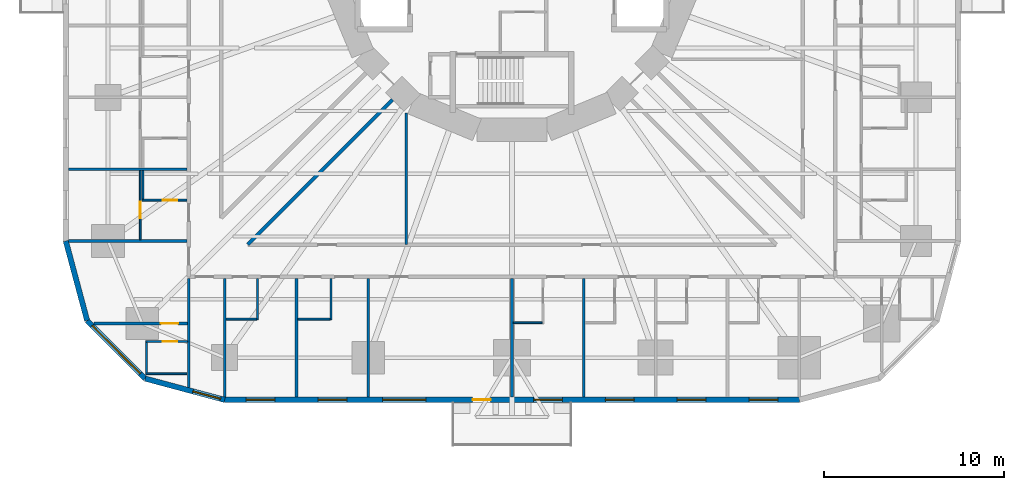
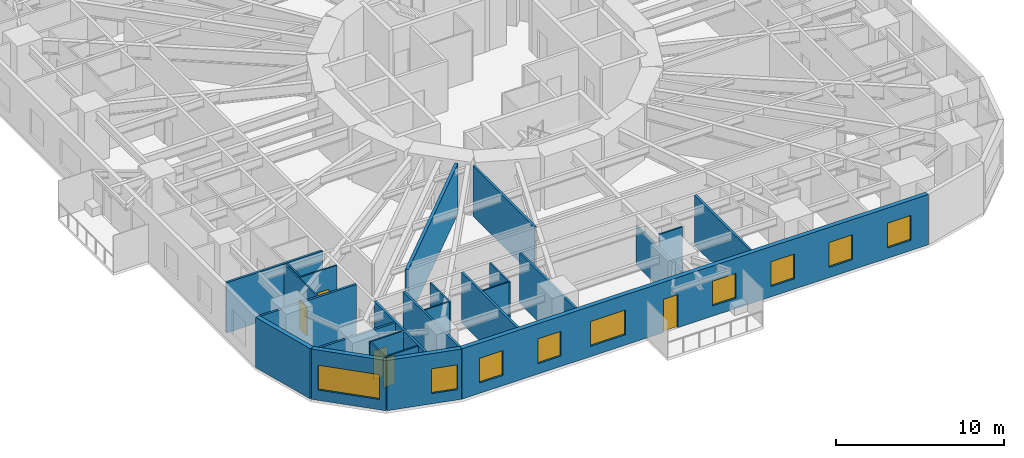
# One storey, part 4 of 14: 26 walls, 9 windows, 5 doors, 14 openings.
"""IFC4 building model written with IfcOpenShell, lengths in metres."""

from ifc_helpers import new_model, si_unit, direction, frame, frame_2d, origin, place, context, subcontext, project, spatial, rectangle, extrude, material, layer, layer_set, type_object, element, fill, save


model = new_model("IFC4")

# Units and contexts
model_context = context("Model", 3, precision=1e-05, world=origin(), true_north=direction((0.0, 1.0)))
body_context = subcontext(model_context, "Body", "Model", "MODEL_VIEW")
ifc_project = project(units=[si_unit("LENGTHUNIT", "METRE"), si_unit("AREAUNIT", "SQUARE_METRE"), si_unit("VOLUMEUNIT", "CUBIC_METRE"), si_unit("PLANEANGLEUNIT", "RADIAN"), si_unit("MASSUNIT", "GRAM", prefix="KILO")], contexts=[model_context])

# Site, building, storey
site_placement = place(None, origin())
site = spatial("IfcSite", under=ifc_project, at=site_placement, CompositionType="ELEMENT")
building_placement = place(site_placement, origin())
building = spatial("IfcBuilding", under=site, at=building_placement, Name="Nakasero Lantern House", CompositionType="ELEMENT")
storey_placement = place(building_placement, frame((0.0, 0.0, 42.949951171875)))
storey = spatial("IfcBuildingStorey", under=building, at=storey_placement, Name="L10", CompositionType="ELEMENT", Elevation=42.949951171875)

# Wall
ifc_material_1 = material(Name="Blockwork", Category="masonry")
ifc_layer_1 = layer(ifc_material_1, 0.199951171875)
ifc_layer_set_1 = layer_set([ifc_layer_1], Name="Corridor wall 200")
wall_type_1 = type_object("IfcWallType", Name="Corridor wall 200", PredefinedType="PARTITIONING", material=ifc_layer_set_1)
wall_1_placement = place(storey_placement, frame((-6.65234375, -8.13720703125, 0.0), z_axis=(0.0, 0.0, 1.0), x_axis=(-0.707106781187, -0.707106781187, 0.0)))
element("IfcWall", 1, at=wall_1_placement, inside=storey, type_object=wall_type_1, Name="Corridor wall L10 PS10a", PredefinedType="PARTITIONING", context=body_context, shape_type="SweptSolid", body=[
    extrude(rectangle(XDim=11.40234375, YDim=0.199951171875, at=frame_2d((5.701171875, 0.0))), origin(), (0.0, 0.0, 1.0), 3.650146484375),
])

# Wall, opening, door
ifc_material_2 = material(Name="Blockwork", Category="masonry")
ifc_layer_2 = layer(ifc_material_2, 0.10009765625)
ifc_layer_set_2 = layer_set([ifc_layer_2], Name="En-suite wall 100")
wall_type_2 = type_object("IfcWallType", Name="En-suite wall 100", PredefinedType="PARTITIONING", material=ifc_layer_set_2)
wall_2_placement = place(storey_placement, frame((-18.10009765625, -13.72509765625, 0.0), z_axis=(0.0, 0.0, 1.0), x_axis=(-1.0, 0.0, 0.0)))
wall_2 = element("IfcWall", 2, at=wall_2_placement, inside=storey, type_object=wall_type_2, Name="En-suite wall L10 ES2-08", PredefinedType="PARTITIONING", context=body_context, shape_type="SweptSolid", body=[
    extrude(rectangle(XDim=2.5, YDim=0.10009765625, at=frame_2d((1.25, 0.0))), origin(), (0.0, 0.0, 1.0), 3.650146484375),
])
opening_1_placement = place(wall_2_placement, frame((0.550048828125, 0.0, 0.0)))
opening_1 = element("IfcOpeningElement", 3, at=opening_1_placement, cuts=wall_2, Name="Opening D02", PredefinedType="OPENING", context=body_context, shape_type="SweptSolid", body=[
    extrude(rectangle(XDim=0.800048828125, YDim=2.10009765625, at=frame_2d((0.39990234375, 1.050048828125))), frame((0.0, 0.070068359375, 0.0), z_axis=(0.0, -1.0, 0.0), x_axis=(1.0, 0.0, 0.0)), (0.0, 0.0, 1.0), 0.14013671875),
])
ifc_material_3 = material(Name="Timber C24", Category="wood")
door_type_1 = type_object("IfcDoorType", Name="En-suite door 800", OperationType="SINGLE_SWING_RIGHT", PredefinedType="DOOR", material=ifc_material_3)
door_1_placement = place(opening_1_placement, origin())
door_1 = element("IfcDoor", 4, at=door_1_placement, inside=storey, type_object=door_type_1, Name="Door L10 DE2-08", OperationType="SINGLE_SWING_LEFT", OverallHeight=2.10009765625, OverallWidth=0.800048828125, PredefinedType="DOOR", context=body_context, shape_type="SweptSolid", body=[
    extrude(rectangle(XDim=0.800048828125, YDim=2.10009765625, at=frame_2d((0.39990234375, 1.050048828125))), frame((0.0, 0.02490234375, 0.0), z_axis=(0.0, -1.0, 0.0), x_axis=(1.0, 0.0, 0.0)), (0.0, 0.0, 1.0), 0.050048828125),
])
fill(opening_1, door_1)

# Wall
wall_3_placement = place(storey_placement, frame((-20.550048828125, -12.074951171875, 0.0), z_axis=(0.0, 0.0, 1.0), x_axis=(0.0, -1.0, 0.0)))
element("IfcWall", 5, at=wall_3_placement, inside=storey, type_object=wall_type_2, Name="En-suite wall L10 EE2-08", PredefinedType="PARTITIONING", context=body_context, shape_type="SweptSolid", body=[
    extrude(rectangle(XDim=1.60009765625, YDim=0.10009765625, at=frame_2d((0.800048828125, 0.0))), origin(), (0.0, 0.0, 1.0), 3.650146484375),
])

# Wall, opening, door
wall_4_placement = place(storey_placement, frame((-18.06494140625, -21.59619140625, 0.0), z_axis=(0.0, 0.0, 1.0), x_axis=(-1.0, 0.0, 0.0)))
wall_4 = element("IfcWall", 6, at=wall_4_placement, inside=storey, type_object=wall_type_2, Name="En-suite wall L10 ES2-09", PredefinedType="PARTITIONING", context=body_context, shape_type="SweptSolid", body=[
    extrude(rectangle(XDim=2.3349609375, YDim=0.10009765625, at=frame_2d((1.16748046875, 0.0))), origin(), (0.0, 0.0, 1.0), 3.650146484375),
])
opening_2_placement = place(wall_4_placement, frame((0.5849609375, 0.0, 0.0)))
opening_2 = element("IfcOpeningElement", 7, at=opening_2_placement, cuts=wall_4, Name="Opening D02", PredefinedType="OPENING", context=body_context, shape_type="SweptSolid", body=[
    extrude(rectangle(XDim=0.800048828125, YDim=2.10009765625, at=frame_2d((0.39990234375, 1.050048828125))), frame((0.0, 0.070068359375, 0.0), z_axis=(0.0, -1.0, 0.0), x_axis=(1.0, 0.0, 0.0)), (0.0, 0.0, 1.0), 0.14013671875),
])
door_2_placement = place(opening_2_placement, origin())
door_2 = element("IfcDoor", 8, at=door_2_placement, inside=storey, type_object=door_type_1, Name="Door L10 DE2-09", OperationType="SINGLE_SWING_LEFT", OverallHeight=2.10009765625, OverallWidth=0.800048828125, PredefinedType="DOOR", context=body_context, shape_type="SweptSolid", body=[
    extrude(rectangle(XDim=0.800048828125, YDim=2.10009765625, at=frame_2d((0.39990234375, 1.050048828125))), frame((0.0, 0.02490234375, 0.0), z_axis=(0.0, -1.0, 0.0), x_axis=(1.0, 0.0, 0.0)), (0.0, 0.0, 1.0), 0.050048828125),
])
fill(opening_2, door_2)

# Walls
wall_5_placement = place(storey_placement, frame((-20.35009765625, -21.646240234375, 0.0), z_axis=(0.0, 0.0, 1.0), x_axis=(0.0, -1.0, 0.0)))
element("IfcWall", 9, at=wall_5_placement, inside=storey, type_object=wall_type_2, Name="En-suite wall L10 EE2-09", PredefinedType="PARTITIONING", context=body_context, shape_type="SweptSolid", body=[
    extrude(rectangle(XDim=1.699951171875, YDim=0.10009765625, at=frame_2d((0.85009765625, 0.0))), origin(), (0.0, 0.0, 1.0), 3.650146484375),
])
for number, where, z_axis, x_axis, name in (
    (10, (-18.10009765625, -23.396240234375, 0.0), (0.0, 0.0, 1.0), (-1.0, 0.0, 0.0), "En-suite wall L10 EV2-09"),
    (11, (-14.175048828125, -18.10009765625, 0.0), (0.0, 0.0, 1.0), (0.0, -1.0, 0.0), "En-suite wall L10 ES3-01"),
):
    element("IfcWall", number, at=place(storey_placement, frame(where, z_axis=z_axis, x_axis=x_axis)), inside=storey, type_object=wall_type_2, Name=name, PredefinedType="PARTITIONING", context=body_context, shape_type="SweptSolid", body=[
        extrude(rectangle(XDim=2.2998046875, YDim=0.10009765625, at=frame_2d((1.14990234375, 0.0))), origin(), (0.0, 0.0, 1.0), 3.650146484375),
    ])
wall_6_placement = place(storey_placement, frame((-15.925048828125, -20.35009765625, 0.0), z_axis=(0.0, 0.0, 1.0), x_axis=(1.0, 0.0, 0.0)))
element("IfcWall", 12, at=wall_6_placement, inside=storey, type_object=wall_type_2, Name="En-suite wall L10 EE3-01", PredefinedType="PARTITIONING", context=body_context, shape_type="SweptSolid", body=[
    extrude(rectangle(XDim=1.699951171875, YDim=0.10009765625, at=frame_2d((0.85009765625, 0.0))), origin(), (0.0, 0.0, 1.0), 3.650146484375),
])
wall_7_placement = place(storey_placement, frame((-10.074951171875, -18.10009765625, 0.0), z_axis=(0.0, 0.0, 1.0), x_axis=(0.0, -1.0, 0.0)))
element("IfcWall", 13, at=wall_7_placement, inside=storey, type_object=wall_type_2, Name="En-suite wall L10 ES3-02", PredefinedType="PARTITIONING", context=body_context, shape_type="SweptSolid", body=[
    extrude(rectangle(XDim=2.2998046875, YDim=0.10009765625, at=frame_2d((1.14990234375, 0.0))), origin(), (0.0, 0.0, 1.0), 3.650146484375),
])
wall_8_placement = place(storey_placement, frame((-11.925048828125, -20.35009765625, 0.0), z_axis=(0.0, 0.0, 1.0), x_axis=(1.0, 0.0, 0.0)))
element("IfcWall", 14, at=wall_8_placement, inside=storey, type_object=wall_type_2, Name="En-suite wall L10 EE3-02", PredefinedType="PARTITIONING", context=body_context, shape_type="SweptSolid", body=[
    extrude(rectangle(XDim=1.800048828125, YDim=0.10009765625, at=frame_2d((0.89990234375, 0.0))), origin(), (0.0, 0.0, 1.0), 3.650146484375),
])
wall_9_placement = place(storey_placement, frame((0.074951171875, -20.550048828125, 0.0), z_axis=(0.0, 0.0, 1.0), x_axis=(1.0, 0.0, 0.0)))
element("IfcWall", 15, at=wall_9_placement, inside=storey, type_object=wall_type_2, Name="En-suite wall L10 EE3-05", PredefinedType="PARTITIONING", context=body_context, shape_type="SweptSolid", body=[
    extrude(rectangle(XDim=1.60009765625, YDim=0.10009765625, at=frame_2d((0.800048828125, 0.0))), origin(), (0.0, 0.0, 1.0), 3.650146484375),
])

# Wall, opening, door
wall_10_placement = place(storey_placement, frame((-20.699951171875, -12.074951171875, 0.0), z_axis=(0.0, 0.0, 1.0), x_axis=(0.0, -1.0, 0.0)))
wall_10 = element("IfcWall", 16, at=wall_10_placement, inside=storey, type_object=wall_type_2, Name="En-suite wall L10 EL2-08", PredefinedType="PARTITIONING", context=body_context, shape_type="SweptSolid", body=[
    extrude(rectangle(XDim=3.85009765625, YDim=0.10009765625, at=frame_2d((1.925048828125, 0.0))), origin(), (0.0, 0.0, 1.0), 3.650146484375),
])
opening_3_placement = place(wall_10_placement, frame((1.75, 0.0, 0.0)))
opening_3 = element("IfcOpeningElement", 17, at=opening_3_placement, cuts=wall_10, Name="Opening D17", PredefinedType="OPENING", context=body_context, shape_type="SweptSolid", body=[
    extrude(rectangle(XDim=0.89990234375, YDim=2.10009765625, at=frame_2d((0.449951171875, 1.050048828125))), frame((0.0, 0.070068359375, 0.0), z_axis=(0.0, -1.0, 0.0), x_axis=(1.0, 0.0, 0.0)), (0.0, 0.0, 1.0), 0.14013671875),
])
ifc_material_4 = material(Name="Timber C24", Category="wood")
door_type_2 = type_object("IfcDoorType", Name="Bedroom door FD30S 900", OperationType="SINGLE_SWING_LEFT", PredefinedType="DOOR", material=ifc_material_4)
door_3_placement = place(opening_3_placement, origin())
door_3 = element("IfcDoor", 18, at=door_3_placement, inside=storey, type_object=door_type_2, Name="Door L10 DL2-08", OperationType="SINGLE_SWING_RIGHT", OverallHeight=2.10009765625, OverallWidth=0.89990234375, PredefinedType="DOOR", context=body_context, shape_type="SweptSolid", body=[
    extrude(rectangle(XDim=0.89990234375, YDim=2.10009765625, at=frame_2d((0.449951171875, 1.050048828125))), frame((0.0, 0.02490234375, 0.0), z_axis=(0.0, -1.0, 0.0), x_axis=(1.0, 0.0, 0.0)), (0.0, 0.0, 1.0), 0.050048828125),
])
fill(opening_3, door_3)

# Wall
ifc_material_5 = material(Name="Aluminium rainscreen on blockwork", Category="masonry")
ifc_layer_3 = layer(ifc_material_5, 0.300048828125)
ifc_layer_set_3 = layer_set([ifc_layer_3], Name="Facade wall 300")
wall_type_3 = type_object("IfcWallType", Name="Facade wall 300", PredefinedType="SOLIDWALL", material=ifc_layer_set_3)
wall_11_placement = place(storey_placement, frame((-24.85009765625, -16.0, 0.0), z_axis=(0.0, 0.0, 1.0), x_axis=(0.258839972501, -0.965920218567, 0.0)))
element("IfcWall", 19, at=wall_11_placement, inside=storey, type_object=wall_type_3, Name="Facade wall L10 FW2C1", PredefinedType="SOLIDWALL", context=body_context, shape_type="SweptSolid", body=[
    extrude(rectangle(XDim=4.5810546875, YDim=0.300048828125, at=frame_2d((2.29052734375, 0.0))), origin(), (0.0, 0.0, 1.0), 3.650146484375),
])

# Wall, opening, window
wall_12_placement = place(storey_placement, frame((-23.664306640625, -20.425048828125, 0.0), z_axis=(0.0, 0.0, 1.0), x_axis=(0.707106781187, -0.707106781187, 0.0)))
wall_12 = element("IfcWall", 20, at=wall_12_placement, inside=storey, type_object=wall_type_3, Name="Facade wall L10 FW2C2", PredefinedType="SOLIDWALL", context=body_context, shape_type="SweptSolid", body=[
    extrude(rectangle(XDim=4.5810546875, YDim=0.300048828125, at=frame_2d((2.29052734375, 0.0))), origin(), (0.0, 0.0, 1.0), 3.650146484375),
])
opening_4_placement = place(wall_12_placement, frame((0.39990234375, 0.0, 0.75)))
opening_4 = element("IfcOpeningElement", 21, at=opening_4_placement, cuts=wall_12, Name="Opening W237", PredefinedType="OPENING", context=body_context, shape_type="SweptSolid", body=[
    extrude(rectangle(XDim=3.781005859375, YDim=1.800048828125, at=frame_2d((1.890625, 0.89990234375))), frame((0.0, 0.169921875, 0.0), z_axis=(0.0, -1.0, 0.0), x_axis=(1.0, 0.0, 0.0)), (0.0, 0.0, 1.0), 0.340087890625),
])
ifc_material_6 = material(Name="Aluminium 6063-T6 and glass", Category="aluminium")
window_type_1 = type_object("IfcWindowType", Name="Corner window 3781x1800", PartitioningType="SINGLE_PANEL", PredefinedType="WINDOW", material=ifc_material_6)
window_1_placement = place(opening_4_placement, origin())
window_1 = element("IfcWindow", 22, at=window_1_placement, inside=storey, type_object=window_type_1, Name="Window L10 WC2", OverallHeight=1.800048828125, OverallWidth=3.781005859375, PartitioningType="SINGLE_PANEL", PredefinedType="WINDOW", context=body_context, shape_type="SweptSolid", body=[
    extrude(rectangle(XDim=3.781005859375, YDim=1.800048828125, at=frame_2d((1.890625, 0.89990234375))), frame((0.0, 0.030029296875, 0.0), z_axis=(0.0, -1.0, 0.0), x_axis=(1.0, 0.0, 0.0)), (0.0, 0.0, 1.0), 0.06005859375),
])
fill(opening_4, window_1)

wall_13_placement = place(storey_placement, frame((-20.425048828125, -23.664306640625, 0.0), z_axis=(0.0, 0.0, 1.0), x_axis=(0.965920218567, -0.258839972501, 0.0)))
wall_13 = element("IfcWall", 23, at=wall_13_placement, inside=storey, type_object=wall_type_3, Name="Facade wall L10 FW2C3", PredefinedType="SOLIDWALL", context=body_context, shape_type="SweptSolid", body=[
    extrude(rectangle(XDim=4.5810546875, YDim=0.300048828125, at=frame_2d((2.29052734375, 0.0))), origin(), (0.0, 0.0, 1.0), 3.650146484375),
])
opening_5_placement = place(wall_13_placement, frame((2.74609375, 0.0, 0.75)))
opening_5 = element("IfcOpeningElement", 24, at=opening_5_placement, cuts=wall_13, Name="Opening W01", PredefinedType="OPENING", context=body_context, shape_type="SweptSolid", body=[
    extrude(rectangle(XDim=1.60009765625, YDim=1.800048828125, at=frame_2d((0.800048828125, 0.89990234375))), frame((0.0, 0.169921875, 0.0), z_axis=(0.0, -1.0, 0.0), x_axis=(1.0, 0.0, 0.0)), (0.0, 0.0, 1.0), 0.340087890625),
])
ifc_material_7 = material(Name="Aluminium 6063-T6 and glass", Category="aluminium")
window_type_2 = type_object("IfcWindowType", Name="Bedroom window 1600x1800", PartitioningType="SINGLE_PANEL", PredefinedType="WINDOW", material=ifc_material_7)
window_2_placement = place(opening_5_placement, origin())
window_2 = element("IfcWindow", 25, at=window_2_placement, inside=storey, type_object=window_type_2, Name="Window L10 WN3-00", OverallHeight=1.800048828125, OverallWidth=1.60009765625, PartitioningType="SINGLE_PANEL", PredefinedType="WINDOW", context=body_context, shape_type="SweptSolid", body=[
    extrude(rectangle(XDim=1.60009765625, YDim=1.800048828125, at=frame_2d((0.800048828125, 0.89990234375))), frame((0.0, 0.030029296875, 0.0), z_axis=(0.0, -1.0, 0.0), x_axis=(1.0, 0.0, 0.0)), (0.0, 0.0, 1.0), 0.06005859375),
])
fill(opening_5, window_2)

# Wall, openings, door, windows
wall_14_placement = place(storey_placement, frame((-16.0, -24.85009765625, 0.0), z_axis=(0.0, 0.0, 1.0), x_axis=(1.0, 0.0, 0.0)))
wall_14 = element("IfcWall", 26, at=wall_14_placement, inside=storey, type_object=wall_type_3, Name="Facade wall L10 FW3S", PredefinedType="SOLIDWALL", context=body_context, shape_type="SweptSolid", body=[
    extrude(rectangle(XDim=32.0, YDim=0.300048828125, at=frame_2d((16.0, 0.0))), origin(), (0.0, 0.0, 1.0), 3.650146484375),
])
opening_6_placement = place(wall_14_placement, frame((1.199951171875, 0.0, 0.75)))
opening_6 = element("IfcOpeningElement", 27, at=opening_6_placement, cuts=wall_14, Name="Opening W01", PredefinedType="OPENING", context=body_context, shape_type="SweptSolid", body=[
    extrude(rectangle(XDim=1.60009765625, YDim=1.800048828125, at=frame_2d((0.800048828125, 0.89990234375))), frame((0.0, 0.169921875, 0.0), z_axis=(0.0, -1.0, 0.0), x_axis=(1.0, 0.0, 0.0)), (0.0, 0.0, 1.0), 0.340087890625),
])
opening_7_placement = place(wall_14_placement, frame((5.199951171875, 0.0, 0.75)))
opening_7 = element("IfcOpeningElement", 28, at=opening_7_placement, cuts=wall_14, Name="Opening W01", PredefinedType="OPENING", context=body_context, shape_type="SweptSolid", body=[
    extrude(rectangle(XDim=1.60009765625, YDim=1.800048828125, at=frame_2d((0.800048828125, 0.89990234375))), frame((0.0, 0.169921875, 0.0), z_axis=(0.0, -1.0, 0.0), x_axis=(1.0, 0.0, 0.0)), (0.0, 0.0, 1.0), 0.340087890625),
])
opening_8_placement = place(wall_14_placement, frame((17.199951171875, 0.0, 0.75)))
opening_8 = element("IfcOpeningElement", 29, at=opening_8_placement, cuts=wall_14, Name="Opening W01", PredefinedType="OPENING", context=body_context, shape_type="SweptSolid", body=[
    extrude(rectangle(XDim=1.60009765625, YDim=1.800048828125, at=frame_2d((0.800048828125, 0.89990234375))), frame((0.0, 0.169921875, 0.0), z_axis=(0.0, -1.0, 0.0), x_axis=(1.0, 0.0, 0.0)), (0.0, 0.0, 1.0), 0.340087890625),
])
opening_9_placement = place(wall_14_placement, frame((21.199951171875, 0.0, 0.75)))
opening_9 = element("IfcOpeningElement", 30, at=opening_9_placement, cuts=wall_14, Name="Opening W01", PredefinedType="OPENING", context=body_context, shape_type="SweptSolid", body=[
    extrude(rectangle(XDim=1.60009765625, YDim=1.800048828125, at=frame_2d((0.800048828125, 0.89990234375))), frame((0.0, 0.169921875, 0.0), z_axis=(0.0, -1.0, 0.0), x_axis=(1.0, 0.0, 0.0)), (0.0, 0.0, 1.0), 0.340087890625),
])
opening_10_placement = place(wall_14_placement, frame((25.199951171875, 0.0, 0.75)))
opening_10 = element("IfcOpeningElement", 31, at=opening_10_placement, cuts=wall_14, Name="Opening W01", PredefinedType="OPENING", context=body_context, shape_type="SweptSolid", body=[
    extrude(rectangle(XDim=1.60009765625, YDim=1.800048828125, at=frame_2d((0.800048828125, 0.89990234375))), frame((0.0, 0.169921875, 0.0), z_axis=(0.0, -1.0, 0.0), x_axis=(1.0, 0.0, 0.0)), (0.0, 0.0, 1.0), 0.340087890625),
])
opening_11_placement = place(wall_14_placement, frame((29.199951171875, 0.0, 0.75)))
opening_11 = element("IfcOpeningElement", 32, at=opening_11_placement, cuts=wall_14, Name="Opening W01", PredefinedType="OPENING", context=body_context, shape_type="SweptSolid", body=[
    extrude(rectangle(XDim=1.60009765625, YDim=1.800048828125, at=frame_2d((0.800048828125, 0.89990234375))), frame((0.0, 0.169921875, 0.0), z_axis=(0.0, -1.0, 0.0), x_axis=(1.0, 0.0, 0.0)), (0.0, 0.0, 1.0), 0.340087890625),
])
opening_12_placement = place(wall_14_placement, frame((8.800048828125, 0.0, 0.75)))
opening_12 = element("IfcOpeningElement", 33, at=opening_12_placement, cuts=wall_14, Name="Opening W03", PredefinedType="OPENING", context=body_context, shape_type="SweptSolid", body=[
    extrude(rectangle(XDim=2.39990234375, YDim=1.800048828125, at=frame_2d((1.199951171875, 0.89990234375))), frame((0.0, 0.169921875, 0.0), z_axis=(0.0, -1.0, 0.0), x_axis=(1.0, 0.0, 0.0)), (0.0, 0.0, 1.0), 0.340087890625),
])
opening_13_placement = place(wall_14_placement, frame((13.8125, 0.0, 0.0)))
opening_13 = element("IfcOpeningElement", 34, at=opening_13_placement, cuts=wall_14, Name="Opening D04", PredefinedType="OPENING", context=body_context, shape_type="SweptSolid", body=[
    extrude(rectangle(XDim=1.0, YDim=2.39990234375, at=frame_2d((0.5, 1.199951171875))), frame((0.0, 0.169921875, 0.0), z_axis=(0.0, -1.0, 0.0), x_axis=(1.0, 0.0, 0.0)), (0.0, 0.0, 1.0), 0.340087890625),
])
ifc_material_8 = material(Name="Aluminium 6063-T6 and glass", Category="aluminium")
door_type_3 = type_object("IfcDoorType", Name="Balcony door 1000x2400", OperationType="SINGLE_SWING_RIGHT", PredefinedType="DOOR", material=ifc_material_8)
door_4_placement = place(opening_13_placement, origin())
door_4 = element("IfcDoor", 35, at=door_4_placement, inside=storey, type_object=door_type_3, Name="Balcony door L10 DB3", OperationType="SINGLE_SWING_RIGHT", OverallHeight=2.39990234375, OverallWidth=1.0, PredefinedType="DOOR", context=body_context, shape_type="SweptSolid", body=[
    extrude(rectangle(XDim=1.0, YDim=2.39990234375, at=frame_2d((0.5, 1.199951171875))), frame((0.0, 0.02490234375, 0.0), z_axis=(0.0, -1.0, 0.0), x_axis=(1.0, 0.0, 0.0)), (0.0, 0.0, 1.0), 0.050048828125),
])
fill(opening_13, door_4)
window_3_placement = place(opening_6_placement, origin())
window_3 = element("IfcWindow", 36, at=window_3_placement, inside=storey, type_object=window_type_2, Name="Window L10 WN3-01", OverallHeight=1.800048828125, OverallWidth=1.60009765625, PartitioningType="SINGLE_PANEL", PredefinedType="WINDOW", context=body_context, shape_type="SweptSolid", body=[
    extrude(rectangle(XDim=1.60009765625, YDim=1.800048828125, at=frame_2d((0.800048828125, 0.89990234375))), frame((0.0, 0.030029296875, 0.0), z_axis=(0.0, -1.0, 0.0), x_axis=(1.0, 0.0, 0.0)), (0.0, 0.0, 1.0), 0.06005859375),
])
fill(opening_6, window_3)
window_4_placement = place(opening_7_placement, origin())
window_4 = element("IfcWindow", 37, at=window_4_placement, inside=storey, type_object=window_type_2, Name="Window L10 WN3-02", OverallHeight=1.800048828125, OverallWidth=1.60009765625, PartitioningType="SINGLE_PANEL", PredefinedType="WINDOW", context=body_context, shape_type="SweptSolid", body=[
    extrude(rectangle(XDim=1.60009765625, YDim=1.800048828125, at=frame_2d((0.800048828125, 0.89990234375))), frame((0.0, 0.030029296875, 0.0), z_axis=(0.0, -1.0, 0.0), x_axis=(1.0, 0.0, 0.0)), (0.0, 0.0, 1.0), 0.06005859375),
])
fill(opening_7, window_4)
window_5_placement = place(opening_8_placement, origin())
window_5 = element("IfcWindow", 38, at=window_5_placement, inside=storey, type_object=window_type_2, Name="Window L10 WN3-05", OverallHeight=1.800048828125, OverallWidth=1.60009765625, PartitioningType="SINGLE_PANEL", PredefinedType="WINDOW", context=body_context, shape_type="SweptSolid", body=[
    extrude(rectangle(XDim=1.60009765625, YDim=1.800048828125, at=frame_2d((0.800048828125, 0.89990234375))), frame((0.0, 0.030029296875, 0.0), z_axis=(0.0, -1.0, 0.0), x_axis=(1.0, 0.0, 0.0)), (0.0, 0.0, 1.0), 0.06005859375),
])
fill(opening_8, window_5)
window_6_placement = place(opening_9_placement, origin())
window_6 = element("IfcWindow", 39, at=window_6_placement, inside=storey, type_object=window_type_2, Name="Window L10 WN3-06", OverallHeight=1.800048828125, OverallWidth=1.60009765625, PartitioningType="SINGLE_PANEL", PredefinedType="WINDOW", context=body_context, shape_type="SweptSolid", body=[
    extrude(rectangle(XDim=1.60009765625, YDim=1.800048828125, at=frame_2d((0.800048828125, 0.89990234375))), frame((0.0, 0.030029296875, 0.0), z_axis=(0.0, -1.0, 0.0), x_axis=(1.0, 0.0, 0.0)), (0.0, 0.0, 1.0), 0.06005859375),
])
fill(opening_9, window_6)
window_7_placement = place(opening_10_placement, origin())
window_7 = element("IfcWindow", 40, at=window_7_placement, inside=storey, type_object=window_type_2, Name="Window L10 WN3-07", OverallHeight=1.800048828125, OverallWidth=1.60009765625, PartitioningType="SINGLE_PANEL", PredefinedType="WINDOW", context=body_context, shape_type="SweptSolid", body=[
    extrude(rectangle(XDim=1.60009765625, YDim=1.800048828125, at=frame_2d((0.800048828125, 0.89990234375))), frame((0.0, 0.030029296875, 0.0), z_axis=(0.0, -1.0, 0.0), x_axis=(1.0, 0.0, 0.0)), (0.0, 0.0, 1.0), 0.06005859375),
])
fill(opening_10, window_7)
window_8_placement = place(opening_11_placement, origin())
window_8 = element("IfcWindow", 41, at=window_8_placement, inside=storey, type_object=window_type_2, Name="Window L10 WN3-08", OverallHeight=1.800048828125, OverallWidth=1.60009765625, PartitioningType="SINGLE_PANEL", PredefinedType="WINDOW", context=body_context, shape_type="SweptSolid", body=[
    extrude(rectangle(XDim=1.60009765625, YDim=1.800048828125, at=frame_2d((0.800048828125, 0.89990234375))), frame((0.0, 0.030029296875, 0.0), z_axis=(0.0, -1.0, 0.0), x_axis=(1.0, 0.0, 0.0)), (0.0, 0.0, 1.0), 0.06005859375),
])
fill(opening_11, window_8)
ifc_material_9 = material(Name="Aluminium 6063-T6 and glass", Category="aluminium")
window_type_3 = type_object("IfcWindowType", Name="Lounge window 2400x1800", PartitioningType="SINGLE_PANEL", PredefinedType="WINDOW", material=ifc_material_9)
window_9_placement = place(opening_12_placement, origin())
window_9 = element("IfcWindow", 42, at=window_9_placement, inside=storey, type_object=window_type_3, Name="Window L10 WK3", OverallHeight=1.800048828125, OverallWidth=2.39990234375, PartitioningType="SINGLE_PANEL", PredefinedType="WINDOW", context=body_context, shape_type="SweptSolid", body=[
    extrude(rectangle(XDim=2.39990234375, YDim=1.800048828125, at=frame_2d((1.199951171875, 0.89990234375))), frame((0.0, 0.030029296875, 0.0), z_axis=(0.0, -1.0, 0.0), x_axis=(1.0, 0.0, 0.0)), (0.0, 0.0, 1.0), 0.06005859375),
])
fill(opening_12, window_9)

# Walls
ifc_material_10 = material(Name="Blockwork", Category="masonry")
ifc_layer_4 = layer(ifc_material_10, 0.14990234375)
ifc_layer_set_4 = layer_set([ifc_layer_4], Name="Party wall 150")
wall_type_4 = type_object("IfcWallType", Name="Party wall 150", PredefinedType="PARTITIONING", material=ifc_layer_set_4)
wall_15_placement = place(storey_placement, frame((-18.10009765625, -12.0, 0.0), z_axis=(0.0, 0.0, 1.0), x_axis=(-1.0, 0.0, 0.0)))
element("IfcWall", 43, at=wall_15_placement, inside=storey, type_object=wall_type_4, Name="Party wall L10 PW2-08", PredefinedType="PARTITIONING", context=body_context, shape_type="SweptSolid", body=[
    extrude(rectangle(XDim=6.599853515625, YDim=0.14990234375, at=frame_2d((3.2998046875, 0.0))), origin(), (0.0, 0.0, 1.0), 3.650146484375),
])
wall_16_placement = place(storey_placement, frame((-18.10009765625, -16.0, 0.0), z_axis=(0.0, 0.0, 1.0), x_axis=(-1.0, 0.0, 0.0)))
element("IfcWall", 44, at=wall_16_placement, inside=storey, type_object=wall_type_4, Name="Party wall L10 PW2-09", PredefinedType="PARTITIONING", context=body_context, shape_type="SweptSolid", body=[
    extrude(rectangle(XDim=6.58935546875, YDim=0.14990234375, at=frame_2d((3.294677734375, 0.0))), origin(), (0.0, 0.0, 1.0), 3.650146484375),
])

# Wall, opening, door
wall_17_placement = place(storey_placement, frame((-18.06494140625, -20.59619140625, 0.0), z_axis=(0.0, 0.0, 1.0), x_axis=(-1.0, 0.0, 0.0)))
wall_17 = element("IfcWall", 45, at=wall_17_placement, inside=storey, type_object=wall_type_4, Name="Party wall L10 PC2", PredefinedType="PARTITIONING", context=body_context, shape_type="SweptSolid", body=[
    extrude(rectangle(XDim=5.208740234375, YDim=0.14990234375, at=frame_2d((2.6044921875, 0.0))), origin(), (0.0, 0.0, 1.0), 3.650146484375),
])
opening_14_placement = place(wall_17_placement, frame((0.534912109375, 0.0, 0.0)))
opening_14 = element("IfcOpeningElement", 46, at=opening_14_placement, cuts=wall_17, Name="Opening D01", PredefinedType="OPENING", context=body_context, shape_type="SweptSolid", body=[
    extrude(rectangle(XDim=0.949951171875, YDim=2.10009765625, at=frame_2d((0.47509765625, 1.050048828125))), frame((0.0, 0.094970703125, 0.0), z_axis=(0.0, -1.0, 0.0), x_axis=(1.0, 0.0, 0.0)), (0.0, 0.0, 1.0), 0.18994140625),
])
ifc_material_11 = material(Name="Timber C24", Category="wood")
door_type_4 = type_object("IfcDoorType", Name="Bedroom door FD30S 950", OperationType="SINGLE_SWING_LEFT", PredefinedType="DOOR", material=ifc_material_11)
door_5_placement = place(opening_14_placement, origin())
door_5 = element("IfcDoor", 47, at=door_5_placement, inside=storey, type_object=door_type_4, Name="Door L10 DC2", OperationType="SINGLE_SWING_LEFT", OverallHeight=2.10009765625, OverallWidth=0.949951171875, PredefinedType="DOOR", context=body_context, shape_type="SweptSolid", body=[
    extrude(rectangle(XDim=0.949951171875, YDim=2.10009765625, at=frame_2d((0.47509765625, 1.050048828125))), frame((0.0, 0.02490234375, 0.0), z_axis=(0.0, -1.0, 0.0), x_axis=(1.0, 0.0, 0.0)), (0.0, 0.0, 1.0), 0.050048828125),
])
fill(opening_14, door_5)

# Walls
wall_18_placement = place(storey_placement, frame((-18.0, -18.10009765625, 0.0), z_axis=(0.0, 0.0, 1.0), x_axis=(0.0, -1.0, 0.0)))
element("IfcWall", 48, at=wall_18_placement, inside=storey, type_object=wall_type_4, Name="Party wall L10 PW3-00", PredefinedType="PARTITIONING", context=body_context, shape_type="SweptSolid", body=[
    extrude(rectangle(XDim=6.053466796875, YDim=0.14990234375, at=frame_2d((3.02685546875, 0.0))), origin(), (0.0, 0.0, 1.0), 3.650146484375),
])
wall_19_placement = place(storey_placement, frame((-16.0, -18.10009765625, 0.0), z_axis=(0.0, 0.0, 1.0), x_axis=(0.0, -1.0, 0.0)))
element("IfcWall", 49, at=wall_19_placement, inside=storey, type_object=wall_type_4, Name="Party wall L10 PW3-01", PredefinedType="PARTITIONING", context=body_context, shape_type="SweptSolid", body=[
    extrude(rectangle(XDim=6.58935546875, YDim=0.14990234375, at=frame_2d((3.294677734375, 0.0))), origin(), (0.0, 0.0, 1.0), 3.650146484375),
])
for number, where, z_axis, x_axis, name in (
    (50, (-12.0, -18.10009765625, 0.0), (0.0, 0.0, 1.0), (0.0, -1.0, 0.0), "Party wall L10 PW3-02"),
    (51, (-8.0, -18.10009765625, 0.0), (0.0, 0.0, 1.0), (0.0, -1.0, 0.0), "Party wall L10 PW3-03"),
):
    element("IfcWall", number, at=place(storey_placement, frame(where, z_axis=z_axis, x_axis=x_axis)), inside=storey, type_object=wall_type_4, Name=name, PredefinedType="PARTITIONING", context=body_context, shape_type="SweptSolid", body=[
        extrude(rectangle(XDim=6.599853515625, YDim=0.14990234375, at=frame_2d((3.2998046875, 0.0))), origin(), (0.0, 0.0, 1.0), 3.650146484375),
    ])
wall_20_placement = place(storey_placement, frame((0.0, -18.10009765625, 0.0), z_axis=(0.0, 0.0, 1.0), x_axis=(0.0, -1.0, 0.0)))
element("IfcWall", 52, at=wall_20_placement, inside=storey, type_object=wall_type_4, Name="Party wall L10 PW3-05", PredefinedType="PARTITIONING", context=body_context, shape_type="SweptSolid", body=[
    extrude(rectangle(XDim=6.599853515625, YDim=0.14990234375, at=frame_2d((3.2998046875, 0.0))), origin(), (0.0, 0.0, 1.0), 2.809326171875),
])
wall_21_placement = place(storey_placement, frame((4.0, -18.10009765625, 0.0), z_axis=(0.0, 0.0, 1.0), x_axis=(0.0, -1.0, 0.0)))
element("IfcWall", 53, at=wall_21_placement, inside=storey, type_object=wall_type_4, Name="Party wall L10 PW3-06", PredefinedType="PARTITIONING", context=body_context, shape_type="SweptSolid", body=[
    extrude(rectangle(XDim=6.599853515625, YDim=0.14990234375, at=frame_2d((3.2998046875, 0.0))), origin(), (0.0, 0.0, 1.0), 3.650146484375),
])
wall_22_placement = place(storey_placement, frame((-5.885986328125, -8.88134765625, 0.0), z_axis=(0.0, 0.0, 1.0), x_axis=(0.0, -1.0, 0.0)))
element("IfcWall", 54, at=wall_22_placement, inside=storey, type_object=wall_type_4, Name="Party wall L10 IS4", PredefinedType="PARTITIONING", context=body_context, shape_type="SweptSolid", body=[
    extrude(rectangle(XDim=7.318603515625, YDim=0.14990234375, at=frame_2d((3.6591796875, 0.0))), origin(), (0.0, 0.0, 1.0), 3.650146484375),
])

save(model, "model.ifc")
